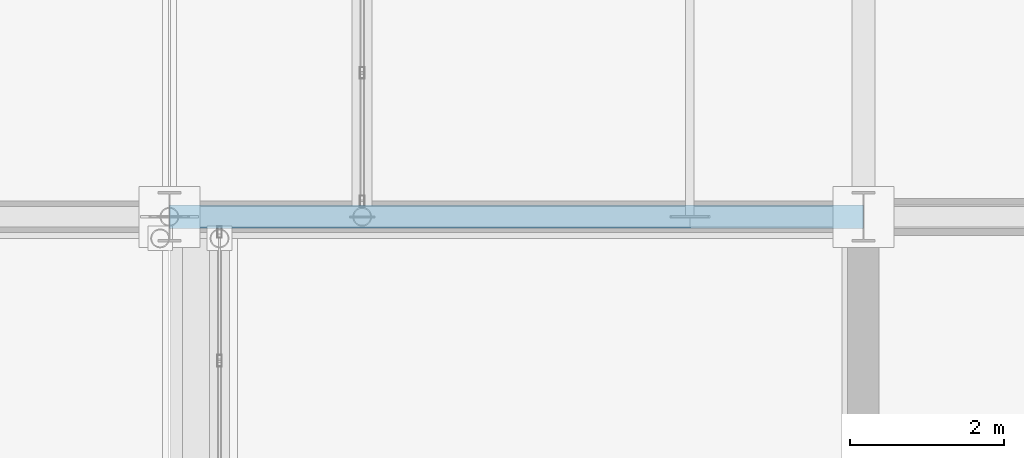
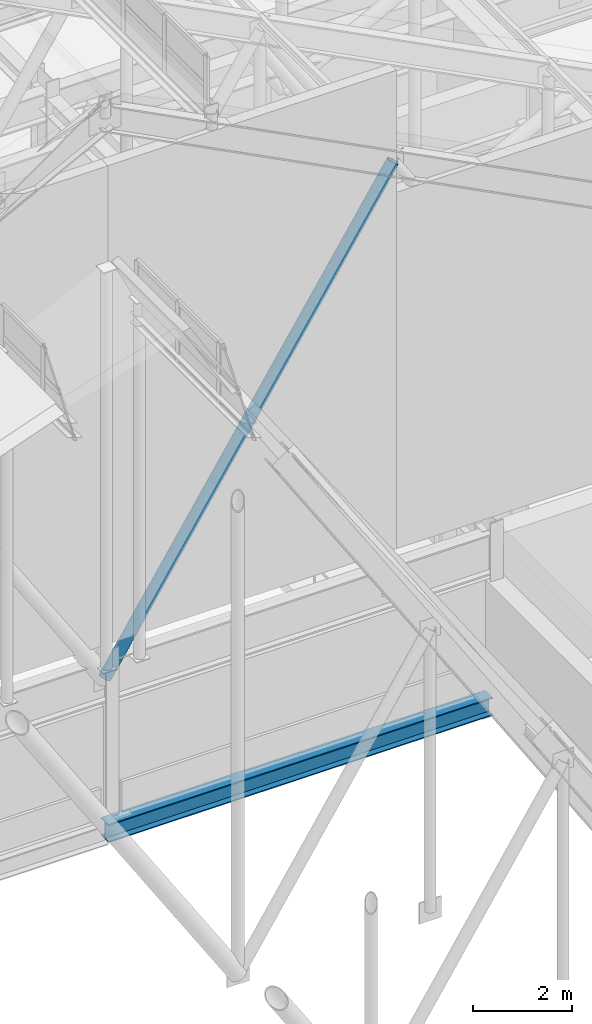
# One storey, part 30 of 84: 1 beam, 1 member.
"""IFC4 building model written with IfcOpenShell, lengths in metres."""

from ifc_helpers import new_model, si_unit, direction, frame, origin, origin_2d, place, context, subcontext, project, spatial, hollow_circle, i_section, extrude, material, material_profile, profile_set, type_object, element, save


model = new_model("IFC4")

# Units and contexts
model_context = context("Model", 3, precision=1e-05, world=origin(), true_north=direction((0.0, 1.0)))
body_context = subcontext(model_context, "Body", "Model", "MODEL_VIEW")
ifc_project = project(units=[si_unit("LENGTHUNIT", "METRE"), si_unit("AREAUNIT", "SQUARE_METRE"), si_unit("VOLUMEUNIT", "CUBIC_METRE"), si_unit("PLANEANGLEUNIT", "RADIAN"), si_unit("MASSUNIT", "GRAM", prefix="KILO")], contexts=[model_context])

# Site, building, storey
site_placement = place(None, origin())
site = spatial("IfcSite", under=ifc_project, at=site_placement, CompositionType="ELEMENT")
building_placement = place(site_placement, origin())
building = spatial("IfcBuilding", under=site, at=building_placement, Name="Sundgate Opera House", CompositionType="ELEMENT")
storey_placement = place(building_placement, frame((0.0, 0.0, 30.60009765625)))
storey = spatial("IfcBuildingStorey", under=building, at=storey_placement, Name="L06", CompositionType="ELEMENT", Elevation=30.60009765625)

# Beam
ifc_material_1 = material(Name="Steel S355J2", Category="steel")
ifc_material_profile_1 = material_profile(ifc_material_1, i_section(OverallWidth=0.300048828125, OverallDepth=0.449951171875, WebThickness=0.013916015625, FlangeThickness=0.02587890625, at=origin_2d()), Name="HEB 450")
ifc_profile_set_1 = profile_set([ifc_material_profile_1], Name="Steel S355J2")
beam_type = type_object("IfcBeamType", Name="BM-GR-HEB450", PredefinedType="BEAM", material=ifc_profile_set_1)
beam_placement = place(storey_placement, frame((54.0, 60.0, -0.485107421875), z_axis=(1.0, 0.0, 0.0), x_axis=(0.0, 1.0, 0.0)))
element("IfcBeam", 1, at=beam_placement, inside=storey, type_object=beam_type, Name="L06 Primary E-W Girder B3221", PredefinedType="BEAM", context=body_context, shape_type="SweptSolid", body=[
    extrude(i_section(OverallWidth=0.300048828125, OverallDepth=0.449951171875, WebThickness=0.013916015625, FlangeThickness=0.02587890625, at=origin_2d()), origin(), (0.0, 0.0, 1.0), 9.0),
])

# Member
ifc_material_2 = material(Name="Steel S355J2", Category="steel")
ifc_material_profile_2 = material_profile(ifc_material_2, hollow_circle(Radius=0.136474609375, WallThickness=0.01611328125, at=origin_2d()), Name="CHS 273.0x16.0")
ifc_profile_set_2 = profile_set([ifc_material_profile_2], Name="Steel S355J2")
member_type = type_object("IfcMemberType", Name="MB-STRUT-CHS273", PredefinedType="STRUT", material=ifc_profile_set_2)
member_placement = place(storey_placement, frame((54.0, 60.0, 3.289794921875), z_axis=(0.543221949913, 0.0, 0.839589133525), x_axis=(0.0, 1.0, 0.0)))
element("IfcMember", 2, at=member_placement, inside=storey, type_object=member_type, Name="L06 Fly-Tower Warren Web Strut M0128", PredefinedType="STRUT", context=body_context, shape_type="SweptSolid", body=[
    extrude(hollow_circle(Radius=0.136474609375, WallThickness=0.01611328125, at=origin_2d()), origin(), (0.0, 0.0, 1.0), 12.42578125),
])

save(model, "model.ifc")
